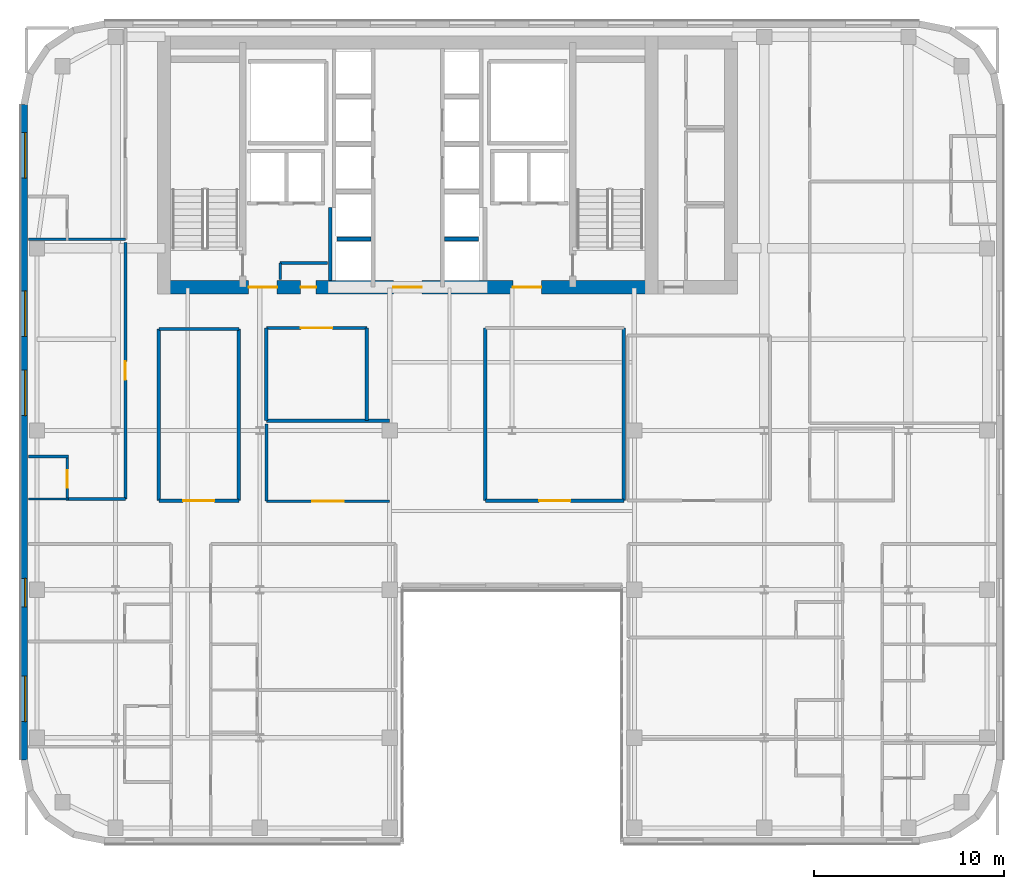
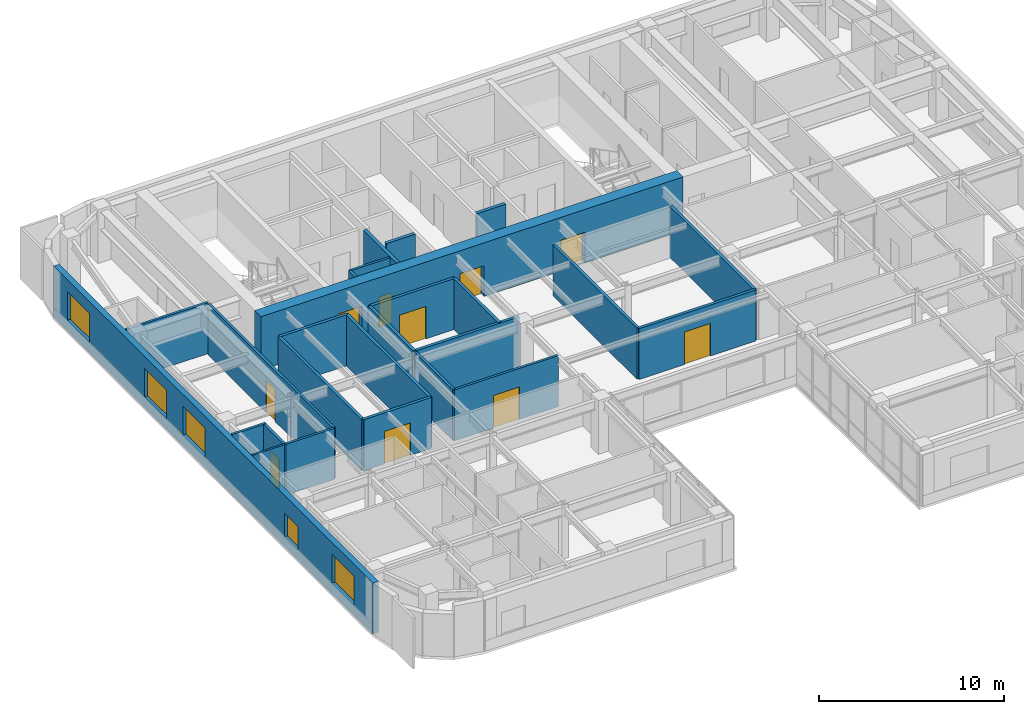
# One storey, part 10 of 20: 26 walls, 10 doors, 5 windows, 15 openings.
"""IFC4 building model written with IfcOpenShell, lengths in metres."""

from ifc_helpers import new_model, si_unit, direction, frame, frame_2d, origin, place, context, subcontext, project, spatial, rectangle, extrude, source, transform, mapped, material, layer, layer_set, type_object, type_shapes, element, fill, save


model = new_model("IFC4")

# Units and contexts
model_context = context("Model", 3, precision=1e-05, world=origin(), true_north=direction((0.0, 1.0)))
body_context = subcontext(model_context, "Body", "Model", "MODEL_VIEW")
ifc_project = project(units=[si_unit("LENGTHUNIT", "METRE"), si_unit("AREAUNIT", "SQUARE_METRE"), si_unit("VOLUMEUNIT", "CUBIC_METRE"), si_unit("PLANEANGLEUNIT", "RADIAN"), si_unit("MASSUNIT", "GRAM", prefix="KILO")], contexts=[model_context])

# Site, building, storey
site_placement = place(None, origin())
site = spatial("IfcSite", under=ifc_project, at=site_placement, CompositionType="ELEMENT")
building_placement = place(site_placement, origin())
building = spatial("IfcBuilding", under=site, at=building_placement, Name="Tolvann Quenvar Hotel", CompositionType="ELEMENT")
storey_placement = place(building_placement, frame((0.0, 0.0, 175.449951171875)))
storey = spatial("IfcBuildingStorey", under=building, at=storey_placement, Name="L46", CompositionType="ELEMENT", Elevation=175.449951171875)

# Wall, openings, doors
ifc_material_1 = material(Name="Concrete S65 (65 MPa)", Category="concrete")
ifc_layer_1 = layer(ifc_material_1, 0.699951171875)
ifc_layer_set_1 = layer_set([ifc_layer_1], Name="Concrete S65 (65 MPa)")
wall_type_1 = type_object("IfcWallType", Name="WALL_CORE_700", PredefinedType="SHEAR", material=ifc_layer_set_1)
wall_1_placement = place(storey_placement, frame((9.800048828125, 31.949951171875, 0.0), z_axis=(0.0, 0.0, 1.0), x_axis=(1.0, 0.0, 0.0)))
wall_1 = element("IfcWall", 1, at=wall_1_placement, inside=storey, type_object=wall_type_1, Name="Rear Core S Shear Wall (L46)", PredefinedType="SHEAR", context=body_context, shape_type="SweptSolid", body=[
    extrude(rectangle(XDim=26.39990234375, YDim=0.699951171875, at=frame_2d((13.199951171875, 0.0))), origin(), (0.0, 0.0, 1.0), 3.550048828125),
])
opening_1_placement = place(wall_1_placement, frame((6.320068359375, 0.0, 0.0), z_axis=(0.0, 0.0, 1.0), x_axis=(-1.0, 0.0, 0.0)))
opening_1 = element("IfcOpeningElement", 2, at=opening_1_placement, cuts=wall_1, Name="Opening FD-60D", PredefinedType="OPENING", context=body_context, shape_type="SweptSolid", body=[
    extrude(rectangle(XDim=1.5, YDim=2.0400390625, at=frame_2d((0.75, 1.02001953125))), frame((0.0, 0.35986328125, 0.0), z_axis=(0.0, -1.0, 0.0), x_axis=(1.0, 0.0, 0.0)), (0.0, 0.0, 1.0), 0.719970703125),
])
opening_2_placement = place(wall_1_placement, frame((13.949951171875, 0.0, 0.0), z_axis=(0.0, 0.0, 1.0), x_axis=(-1.0, 0.0, 0.0)))
opening_2 = element("IfcOpeningElement", 3, at=opening_2_placement, cuts=wall_1, Name="Opening FD-60D", PredefinedType="OPENING", context=body_context, shape_type="SweptSolid", body=[
    extrude(rectangle(XDim=1.5, YDim=2.0400390625, at=frame_2d((0.75, 1.02001953125))), frame((0.0, 0.35986328125, 0.0), z_axis=(0.0, -1.0, 0.0), x_axis=(1.0, 0.0, 0.0)), (0.0, 0.0, 1.0), 0.719970703125),
])
opening_3_placement = place(wall_1_placement, frame((20.25, 0.0, 0.0), z_axis=(0.0, 0.0, 1.0), x_axis=(-1.0, 0.0, 0.0)))
opening_3 = element("IfcOpeningElement", 4, at=opening_3_placement, cuts=wall_1, Name="Opening FD-60D", PredefinedType="OPENING", context=body_context, shape_type="SweptSolid", body=[
    extrude(rectangle(XDim=1.5, YDim=2.0400390625, at=frame_2d((0.75, 1.02001953125))), frame((0.0, 0.35986328125, 0.0), z_axis=(0.0, -1.0, 0.0), x_axis=(1.0, 0.0, 0.0)), (0.0, 0.0, 1.0), 0.719970703125),
])
opening_4_placement = place(wall_1_placement, frame((8.3701171875, 0.0, 0.0), z_axis=(0.0, 0.0, 1.0), x_axis=(-1.0, 0.0, 0.0)))
opening_4 = element("IfcOpeningElement", 5, at=opening_4_placement, cuts=wall_1, Name="Opening HD-02", PredefinedType="OPENING", context=body_context, shape_type="SweptSolid", body=[
    extrude(rectangle(XDim=0.820068359375, YDim=2.010009765625, at=frame_2d((0.41015625, 1.0048828125))), frame((0.0, 0.35986328125, 0.0), z_axis=(0.0, -1.0, 0.0), x_axis=(1.0, 0.0, 0.0)), (0.0, 0.0, 1.0), 0.719970703125),
])
ifc_material_2 = material(Name="Solid-core American oak acoustic fire door leaf in steel frame", Category="steel")
door_type_1 = type_object("IfcDoorType", Name="DOOR_FIRE_LOBBY_1500", OperationType="NOTDEFINED", PredefinedType="DOOR", material=ifc_material_2)
shared_shape_1 = source(origin(), body_context, "Body", "SweptSolid", [
    extrude(rectangle(XDim=1.5, YDim=2.0400390625, at=frame_2d((0.75, 1.02001953125))), frame((0.0, 0.02490234375, 0.0), z_axis=(0.0, -1.0, 0.0), x_axis=(1.0, 0.0, 0.0)), (0.0, 0.0, 1.0), 0.050048828125),
])
type_shapes(door_type_1, [shared_shape_1])
door_1_placement = place(opening_1_placement, origin())
door_1 = element("IfcDoor", 6, at=door_1_placement, inside=storey, type_object=door_type_1, Name="Core Lobby Fire Door FFW (L46)", OperationType="DOUBLE_DOOR_SINGLE_SWING", OverallHeight=2.0400390625, OverallWidth=1.5, PredefinedType="DOOR", context=body_context, shape_type="MappedRepresentation", body=[
    mapped(shared_shape_1, transform((0.0, 0.0, 0.0), x_axis=(1.0, 0.0, 0.0), y_axis=(0.0, 1.0, 0.0), z_axis=(0.0, 0.0, 1.0), scale=1.0)),
])
fill(opening_1, door_1)
door_2_placement = place(opening_2_placement, origin())
door_2 = element("IfcDoor", 7, at=door_2_placement, inside=storey, type_object=door_type_1, Name="Core Lobby Fire Door CLOB (L46)", OperationType="DOUBLE_DOOR_SINGLE_SWING", OverallHeight=2.0400390625, OverallWidth=1.5, PredefinedType="DOOR", context=body_context, shape_type="MappedRepresentation", body=[
    mapped(shared_shape_1, transform((0.0, 0.0, 0.0), x_axis=(1.0, 0.0, 0.0), y_axis=(0.0, 1.0, 0.0), z_axis=(0.0, 0.0, 1.0), scale=1.0)),
])
fill(opening_2, door_2)
door_3_placement = place(opening_3_placement, origin())
door_3 = element("IfcDoor", 8, at=door_3_placement, inside=storey, type_object=door_type_1, Name="Core Lobby Fire Door FFE (L46)", OperationType="DOUBLE_DOOR_SINGLE_SWING", OverallHeight=2.0400390625, OverallWidth=1.5, PredefinedType="DOOR", context=body_context, shape_type="MappedRepresentation", body=[
    mapped(shared_shape_1, transform((0.0, 0.0, 0.0), x_axis=(1.0, 0.0, 0.0), y_axis=(0.0, 1.0, 0.0), z_axis=(0.0, 0.0, 1.0), scale=1.0)),
])
fill(opening_3, door_3)
ifc_material_3 = material(Name="Pressed galvanised steel fire-rated door set", Category="steel")
door_type_2 = type_object("IfcDoorType", Name="DOOR_STORE_820", OperationType="NOTDEFINED", PredefinedType="DOOR", material=ifc_material_3)
shared_shape_2 = source(origin(), body_context, "Body", "SweptSolid", [
    extrude(rectangle(XDim=0.820068359375, YDim=2.010009765625, at=frame_2d((0.41015625, 1.0048828125))), frame((0.0, 0.02490234375, 0.0), z_axis=(0.0, -1.0, 0.0), x_axis=(1.0, 0.0, 0.0)), (0.0, 0.0, 1.0), 0.050048828125),
])
type_shapes(door_type_2, [shared_shape_2])
door_4_placement = place(opening_4_placement, origin())
door_4 = element("IfcDoor", 9, at=door_4_placement, inside=storey, type_object=door_type_2, Name="Core Linen Store Fire Door (L46)", OperationType="SINGLE_SWING_LEFT", OverallHeight=2.010009765625, OverallWidth=0.820068359375, PredefinedType="DOOR", context=body_context, shape_type="MappedRepresentation", body=[
    mapped(shared_shape_2, transform((0.0, 0.0, 0.0), x_axis=(1.0, 0.0, 0.0), y_axis=(0.0, 1.0, 0.0), z_axis=(0.0, 0.0, 1.0), scale=1.0)),
])
fill(opening_4, door_4)

# Wall, openings, windows
ifc_material_4 = material(Name="Kiln-fired red and buff architectural clay brickwork and terracotta masonry", Category="masonry")
ifc_layer_2 = layer(ifc_material_4, 0.35009765625)
ifc_layer_set_2 = layer_set([ifc_layer_2], Name="Kiln-fired red and buff architectural clay brickwork and terracotta masonry")
wall_type_2 = type_object("IfcWallType", Name="WALL_EXT_BRICK_350", PredefinedType="SOLIDWALL", material=ifc_layer_set_2)
wall_2_placement = place(storey_placement, frame((2.77490234375, 41.582763671875, 0.0), z_axis=(0.0, 0.0, 1.0), x_axis=(0.0, -1.0, 0.0)))
wall_2 = element("IfcWall", 10, at=wall_2_placement, inside=storey, type_object=wall_type_2, Name="Exterior Chicago Brick Wall L46-E23", PredefinedType="SOLIDWALL", context=body_context, shape_type="SweptSolid", body=[
    extrude(rectangle(XDim=34.565673828125, YDim=0.35009765625, at=frame_2d((17.28271484375, 0.0))), origin(), (0.0, 0.0, 1.0), 3.3701171875),
])
opening_5_placement = place(wall_2_placement, frame((1.485107421875, 0.0, 0.679931640625)))
opening_5 = element("IfcOpeningElement", 11, at=opening_5_placement, cuts=wall_2, Name="Opening W-01", PredefinedType="OPENING", context=body_context, shape_type="SweptSolid", body=[
    extrude(rectangle(XDim=2.39990234375, YDim=1.89990234375, at=frame_2d((1.199951171875, 0.949951171875))), frame((0.0, 0.18505859375, 0.0), z_axis=(0.0, -1.0, 0.0), x_axis=(1.0, 0.0, 0.0)), (0.0, 0.0, 1.0), 0.3701171875),
])
opening_6_placement = place(wall_2_placement, frame((9.826904296875, 0.0, 0.679931640625)))
opening_6 = element("IfcOpeningElement", 12, at=opening_6_placement, cuts=wall_2, Name="Opening W-01", PredefinedType="OPENING", context=body_context, shape_type="SweptSolid", body=[
    extrude(rectangle(XDim=2.39990234375, YDim=1.89990234375, at=frame_2d((1.199951171875, 0.949951171875))), frame((0.0, 0.18505859375, 0.0), z_axis=(0.0, -1.0, 0.0), x_axis=(1.0, 0.0, 0.0)), (0.0, 0.0, 1.0), 0.3701171875),
])
opening_7_placement = place(wall_2_placement, frame((13.9970703125, 0.0, 0.679931640625)))
opening_7 = element("IfcOpeningElement", 13, at=opening_7_placement, cuts=wall_2, Name="Opening W-01", PredefinedType="OPENING", context=body_context, shape_type="SweptSolid", body=[
    extrude(rectangle(XDim=2.39990234375, YDim=1.89990234375, at=frame_2d((1.199951171875, 0.949951171875))), frame((0.0, 0.18505859375, 0.0), z_axis=(0.0, -1.0, 0.0), x_axis=(1.0, 0.0, 0.0)), (0.0, 0.0, 1.0), 0.3701171875),
])
opening_8_placement = place(wall_2_placement, frame((30.1298828125, 0.0, 0.679931640625)))
opening_8 = element("IfcOpeningElement", 14, at=opening_8_placement, cuts=wall_2, Name="Opening W-01", PredefinedType="OPENING", context=body_context, shape_type="SweptSolid", body=[
    extrude(rectangle(XDim=2.39990234375, YDim=1.89990234375, at=frame_2d((1.199951171875, 0.949951171875))), frame((0.0, 0.18505859375, 0.0), z_axis=(0.0, -1.0, 0.0), x_axis=(1.0, 0.0, 0.0)), (0.0, 0.0, 1.0), 0.3701171875),
])
opening_9_placement = place(wall_2_placement, frame((24.98291015625, 0.0, 0.6201171875)))
opening_9 = element("IfcOpeningElement", 15, at=opening_9_placement, cuts=wall_2, Name="Opening W-08", PredefinedType="OPENING", context=body_context, shape_type="SweptSolid", body=[
    extrude(rectangle(XDim=1.5, YDim=1.550048828125, at=frame_2d((0.75, 0.77490234375))), frame((0.0, 0.18505859375, 0.0), z_axis=(0.0, -1.0, 0.0), x_axis=(1.0, 0.0, 0.0)), (0.0, 0.0, 1.0), 0.3701171875),
])
ifc_material_5 = material(Name="Thermally broken bronze-anodised aluminium frame with double low-E glazing", Category="aluminium")
window_type_1 = type_object("IfcWindowType", Name="WIN_COR_1500x2050", PartitioningType="SINGLE_PANEL", PredefinedType="WINDOW", material=ifc_material_5)
shared_shape_3 = source(origin(), body_context, "Body", "SweptSolid", [
    extrude(rectangle(XDim=1.5, YDim=1.550048828125, at=frame_2d((0.75, 0.77490234375))), frame((0.0, 0.090087890625, 0.0), z_axis=(0.0, -1.0, 0.0), x_axis=(1.0, 0.0, 0.0)), (0.0, 0.0, 1.0), 0.06005859375),
])
type_shapes(window_type_1, [shared_shape_3])
window_1_placement = place(opening_9_placement, origin())
window_1 = element("IfcWindow", 16, at=window_1_placement, inside=storey, type_object=window_type_1, Name="Chicago Window W-08 (EW-L46-E23-WD05)", OverallHeight=1.550048828125, OverallWidth=1.5, PartitioningType="SINGLE_PANEL", PredefinedType="WINDOW", context=body_context, shape_type="MappedRepresentation", body=[
    mapped(shared_shape_3, transform((0.0, 0.0, 0.0), x_axis=(1.0, 0.0, 0.0), y_axis=(0.0, 1.0, 0.0), z_axis=(0.0, 0.0, 1.0), scale=1.0)),
])
fill(opening_9, window_1)
window_type_2 = type_object("IfcWindowType", Name="WIN_CHI_2400x2050", PartitioningType="TRIPLE_PANEL_HORIZONTAL", PredefinedType="WINDOW", material=ifc_material_5)
shared_shape_4 = source(origin(), body_context, "Body", "SweptSolid", [
    extrude(rectangle(XDim=2.39990234375, YDim=1.89990234375, at=frame_2d((1.199951171875, 0.949951171875))), frame((0.0, 0.090087890625, 0.0), z_axis=(0.0, -1.0, 0.0), x_axis=(1.0, 0.0, 0.0)), (0.0, 0.0, 1.0), 0.06005859375),
])
type_shapes(window_type_2, [shared_shape_4])
window_2_placement = place(opening_5_placement, origin())
window_2 = element("IfcWindow", 17, at=window_2_placement, inside=storey, type_object=window_type_2, Name="Chicago Window W-01 (EW-L46-E23-W01)", OverallHeight=1.89990234375, OverallWidth=2.39990234375, PartitioningType="TRIPLE_PANEL_HORIZONTAL", PredefinedType="WINDOW", context=body_context, shape_type="MappedRepresentation", body=[
    mapped(shared_shape_4, transform((0.0, 0.0, 0.0), x_axis=(1.0, 0.0, 0.0), y_axis=(0.0, 1.0, 0.0), z_axis=(0.0, 0.0, 1.0), scale=1.0)),
])
fill(opening_5, window_2)
window_3_placement = place(opening_6_placement, origin())
window_3 = element("IfcWindow", 18, at=window_3_placement, inside=storey, type_object=window_type_2, Name="Chicago Window W-01 (EW-L46-E23-W02)", OverallHeight=1.89990234375, OverallWidth=2.39990234375, PartitioningType="TRIPLE_PANEL_HORIZONTAL", PredefinedType="WINDOW", context=body_context, shape_type="MappedRepresentation", body=[
    mapped(shared_shape_4, transform((0.0, 0.0, 0.0), x_axis=(1.0, 0.0, 0.0), y_axis=(0.0, 1.0, 0.0), z_axis=(0.0, 0.0, 1.0), scale=1.0)),
])
fill(opening_6, window_3)
window_4_placement = place(opening_7_placement, origin())
window_4 = element("IfcWindow", 19, at=window_4_placement, inside=storey, type_object=window_type_2, Name="Chicago Window W-01 (EW-L46-E23-W03)", OverallHeight=1.89990234375, OverallWidth=2.39990234375, PartitioningType="TRIPLE_PANEL_HORIZONTAL", PredefinedType="WINDOW", context=body_context, shape_type="MappedRepresentation", body=[
    mapped(shared_shape_4, transform((0.0, 0.0, 0.0), x_axis=(1.0, 0.0, 0.0), y_axis=(0.0, 1.0, 0.0), z_axis=(0.0, 0.0, 1.0), scale=1.0)),
])
fill(opening_7, window_4)
window_5_placement = place(opening_8_placement, origin())
window_5 = element("IfcWindow", 20, at=window_5_placement, inside=storey, type_object=window_type_2, Name="Chicago Window W-01 (EW-L46-E23-W04)", OverallHeight=1.89990234375, OverallWidth=2.39990234375, PartitioningType="TRIPLE_PANEL_HORIZONTAL", PredefinedType="WINDOW", context=body_context, shape_type="MappedRepresentation", body=[
    mapped(shared_shape_4, transform((0.0, 0.0, 0.0), x_axis=(1.0, 0.0, 0.0), y_axis=(0.0, 1.0, 0.0), z_axis=(0.0, 0.0, 1.0), scale=1.0)),
])
fill(opening_8, window_5)

# Wall, opening, door
ifc_material_6 = material(Name="Acoustic twin-stud fire-rated gypsum plasterboard partition")
ifc_layer_3 = layer(ifc_material_6, 0.179931640625)
ifc_layer_set_3 = layer_set([ifc_layer_3], Name="Acoustic twin-stud fire-rated gypsum plasterboard partition")
wall_type_3 = type_object("IfcWallType", Name="WALL_PART_ACOUSTIC_180", PredefinedType="PARTITIONING", material=ifc_layer_set_3)
wall_3_placement = place(storey_placement, frame((9.8798828125, 20.699951171875, 0.0), z_axis=(0.0, 0.0, 1.0), x_axis=(1.0, 0.0, 0.0)))
wall_3 = element("IfcWall", 21, at=wall_3_placement, inside=storey, type_object=wall_type_3, Name="Interior Partition PT-SPC-L46-MSP-W-S", PredefinedType="PARTITIONING", context=body_context, shape_type="SweptSolid", body=[
    extrude(rectangle(XDim=4.22021484375, YDim=0.179931640625, at=frame_2d((2.110107421875, 0.0))), origin(), (0.0, 0.0, 1.0), 3.3701171875),
])
opening_10_placement = place(wall_3_placement, frame((1.284912109375, 0.0, 0.0)))
opening_10 = element("IfcOpeningElement", 22, at=opening_10_placement, cuts=wall_3, Name="Opening AD-01", PredefinedType="OPENING", context=body_context, shape_type="SweptSolid", body=[
    extrude(rectangle(XDim=1.64990234375, YDim=2.14990234375, at=frame_2d((0.824951171875, 1.074951171875))), frame((0.0, 0.10009765625, 0.0), z_axis=(0.0, -1.0, 0.0), x_axis=(1.0, 0.0, 0.0)), (0.0, 0.0, 1.0), 0.199951171875),
])
door_type_3 = type_object("IfcDoorType", Name="DOOR_SALON_1650", OperationType="NOTDEFINED", PredefinedType="DOOR", material=ifc_material_2)
shared_shape_5 = source(origin(), body_context, "Body", "SweptSolid", [
    extrude(rectangle(XDim=1.64990234375, YDim=2.14990234375, at=frame_2d((0.824951171875, 1.074951171875))), frame((0.0, 0.02490234375, 0.0), z_axis=(0.0, -1.0, 0.0), x_axis=(1.0, 0.0, 0.0)), (0.0, 0.0, 1.0), 0.050048828125),
])
type_shapes(door_type_3, [shared_shape_5])
door_5_placement = place(opening_10_placement, origin())
door_5 = element("IfcDoor", 23, at=door_5_placement, inside=storey, type_object=door_type_3, Name="Interior Door DOOR-SPC-L46-MSP-W", OperationType="DOUBLE_DOOR_SINGLE_SWING", OverallHeight=2.14990234375, OverallWidth=1.64990234375, PredefinedType="DOOR", context=body_context, shape_type="MappedRepresentation", body=[
    mapped(shared_shape_5, transform((0.0, 0.0, 0.0), x_axis=(1.0, 0.0, 0.0), y_axis=(0.0, 1.0, 0.0), z_axis=(0.0, 0.0, 1.0), scale=1.0)),
])
fill(opening_10, door_5)

# Walls
wall_4_placement = place(storey_placement, frame((9.8798828125, 29.75, 0.0), z_axis=(0.0, 0.0, 1.0), x_axis=(1.0, 0.0, 0.0)))
element("IfcWall", 24, at=wall_4_placement, inside=storey, type_object=wall_type_3, Name="Interior Partition PT-SPC-L46-MSP-W-N", PredefinedType="PARTITIONING", context=body_context, shape_type="SweptSolid", body=[
    extrude(rectangle(XDim=4.22021484375, YDim=0.179931640625, at=frame_2d((2.110107421875, 0.0))), origin(), (0.0, 0.0, 1.0), 3.3701171875),
])
for number, where, z_axis, x_axis, name in (
    (25, (9.8798828125, 20.699951171875, 0.0), (0.0, 0.0, 1.0), (0.0, 1.0, 0.0), "Interior Partition PT-SPC-L46-MSP-W-W"),
    (26, (14.10009765625, 20.699951171875, 0.0), (0.0, 0.0, 1.0), (0.0, 1.0, 0.0), "Interior Partition PT-SPC-L46-MSP-W-E"),
):
    element("IfcWall", number, at=place(storey_placement, frame(where, z_axis=z_axis, x_axis=x_axis)), inside=storey, type_object=wall_type_3, Name=name, PredefinedType="PARTITIONING", context=body_context, shape_type="SweptSolid", body=[
        extrude(rectangle(XDim=9.050048828125, YDim=0.179931640625, at=frame_2d((4.52490234375, 0.0))), origin(), (0.0, 0.0, 1.0), 3.3701171875),
    ])

# Wall, opening, door
wall_5_placement = place(storey_placement, frame((27.10009765625, 20.699951171875, 0.0), z_axis=(0.0, 0.0, 1.0), x_axis=(1.0, 0.0, 0.0)))
wall_5 = element("IfcWall", 27, at=wall_5_placement, inside=storey, type_object=wall_type_3, Name="Interior Partition PT-SPC-L46-MSP-C-S", PredefinedType="PARTITIONING", context=body_context, shape_type="SweptSolid", body=[
    extrude(rectangle(XDim=7.2998046875, YDim=0.179931640625, at=frame_2d((3.64990234375, 0.0))), origin(), (0.0, 0.0, 1.0), 3.3701171875),
])
opening_11_placement = place(wall_5_placement, frame((2.824951171875, 0.0, 0.0)))
opening_11 = element("IfcOpeningElement", 28, at=opening_11_placement, cuts=wall_5, Name="Opening AD-01", PredefinedType="OPENING", context=body_context, shape_type="SweptSolid", body=[
    extrude(rectangle(XDim=1.64990234375, YDim=2.14990234375, at=frame_2d((0.824951171875, 1.074951171875))), frame((0.0, 0.10009765625, 0.0), z_axis=(0.0, -1.0, 0.0), x_axis=(1.0, 0.0, 0.0)), (0.0, 0.0, 1.0), 0.199951171875),
])
door_6_placement = place(opening_11_placement, origin())
door_6 = element("IfcDoor", 29, at=door_6_placement, inside=storey, type_object=door_type_3, Name="Interior Door DOOR-SPC-L46-MSP-C", OperationType="DOUBLE_DOOR_SINGLE_SWING", OverallHeight=2.14990234375, OverallWidth=1.64990234375, PredefinedType="DOOR", context=body_context, shape_type="MappedRepresentation", body=[
    mapped(shared_shape_5, transform((0.0, 0.0, 0.0), x_axis=(1.0, 0.0, 0.0), y_axis=(0.0, 1.0, 0.0), z_axis=(0.0, 0.0, 1.0), scale=1.0)),
])
fill(opening_11, door_6)

# Walls
for number, where, z_axis, x_axis, name in (
    (30, (27.10009765625, 20.699951171875, 0.0), (0.0, 0.0, 1.0), (0.0, 1.0, 0.0), "Interior Partition PT-SPC-L46-MSP-C-W"),
    (31, (34.39990234375, 20.699951171875, 0.0), (0.0, 0.0, 1.0), (0.0, 1.0, 0.0), "Interior Partition PT-SPC-L46-MSP-C-E"),
):
    element("IfcWall", number, at=place(storey_placement, frame(where, z_axis=z_axis, x_axis=x_axis)), inside=storey, type_object=wall_type_3, Name=name, PredefinedType="PARTITIONING", context=body_context, shape_type="SweptSolid", body=[
        extrude(rectangle(XDim=9.10009765625, YDim=0.179931640625, at=frame_2d((4.550048828125, 0.0))), origin(), (0.0, 0.0, 1.0), 3.3701171875),
    ])
wall_6_placement = place(storey_placement, frame((15.550048828125, 24.919921875, 0.0), z_axis=(0.0, 0.0, 1.0), x_axis=(1.0, 0.0, 0.0)))
element("IfcWall", 32, at=wall_6_placement, inside=storey, type_object=wall_type_3, Name="Interior Partition PT-SPC-L46-MSP-N-S", PredefinedType="PARTITIONING", context=body_context, shape_type="SweptSolid", body=[
    extrude(rectangle(XDim=6.489990234375, YDim=0.179931640625, at=frame_2d((3.2451171875, 0.0))), origin(), (0.0, 0.0, 1.0), 3.3701171875),
])

# Wall, opening, door
wall_7_placement = place(storey_placement, frame((15.550048828125, 29.800048828125, 0.0), z_axis=(0.0, 0.0, 1.0), x_axis=(1.0, 0.0, 0.0)))
wall_7 = element("IfcWall", 33, at=wall_7_placement, inside=storey, type_object=wall_type_3, Name="Interior Partition PT-SPC-L46-MSP-N-N", PredefinedType="PARTITIONING", context=body_context, shape_type="SweptSolid", body=[
    extrude(rectangle(XDim=5.300048828125, YDim=0.179931640625, at=frame_2d((2.64990234375, 0.0))), origin(), (0.0, 0.0, 1.0), 3.3701171875),
])
opening_12_placement = place(wall_7_placement, frame((1.824951171875, 0.0, 0.0)))
opening_12 = element("IfcOpeningElement", 34, at=opening_12_placement, cuts=wall_7, Name="Opening AD-01", PredefinedType="OPENING", context=body_context, shape_type="SweptSolid", body=[
    extrude(rectangle(XDim=1.64990234375, YDim=2.14990234375, at=frame_2d((0.824951171875, 1.074951171875))), frame((0.0, 0.10009765625, 0.0), z_axis=(0.0, -1.0, 0.0), x_axis=(1.0, 0.0, 0.0)), (0.0, 0.0, 1.0), 0.199951171875),
])
door_7_placement = place(opening_12_placement, origin())
door_7 = element("IfcDoor", 35, at=door_7_placement, inside=storey, type_object=door_type_3, Name="Interior Door DOOR-SPC-L46-MSP-N", OperationType="DOUBLE_DOOR_SINGLE_SWING", OverallHeight=2.14990234375, OverallWidth=1.64990234375, PredefinedType="DOOR", context=body_context, shape_type="MappedRepresentation", body=[
    mapped(shared_shape_5, transform((0.0, 0.0, 0.0), x_axis=(1.0, 0.0, 0.0), y_axis=(0.0, 1.0, 0.0), z_axis=(0.0, 0.0, 1.0), scale=1.0)),
])
fill(opening_12, door_7)

# Walls
for number, where, z_axis, x_axis, name in (
    (36, (15.550048828125, 24.919921875, 0.0), (0.0, 0.0, 1.0), (0.0, 1.0, 0.0), "Interior Partition PT-SPC-L46-MSP-N-W"),
    (37, (20.85009765625, 24.919921875, 0.0), (0.0, 0.0, 1.0), (0.0, 1.0, 0.0), "Interior Partition PT-SPC-L46-MSP-N-E"),
):
    element("IfcWall", number, at=place(storey_placement, frame(where, z_axis=z_axis, x_axis=x_axis)), inside=storey, type_object=wall_type_3, Name=name, PredefinedType="PARTITIONING", context=body_context, shape_type="SweptSolid", body=[
        extrude(rectangle(XDim=4.880126953125, YDim=0.179931640625, at=frame_2d((2.43994140625, 0.0))), origin(), (0.0, 0.0, 1.0), 3.3701171875),
    ])
ifc_material_7 = material(Name="Moisture-resistant acoustic plumbing wall assembly")
ifc_layer_4 = layer(ifc_material_7, 0.1201171875)
ifc_layer_set_4 = layer_set([ifc_layer_4], Name="Moisture-resistant acoustic plumbing wall assembly")
wall_type_4 = type_object("IfcWallType", Name="WALL_PART_BATH_120", PredefinedType="PLUMBINGWALL", material=ifc_layer_set_4)
wall_8_placement = place(storey_placement, frame((3.0048828125, 20.780029296875, 0.0), z_axis=(0.0, 0.0, 1.0), x_axis=(1.0, 0.0, 0.0)))
element("IfcWall", 38, at=wall_8_placement, inside=storey, type_object=wall_type_4, Name="Non-Rated Plumbing Partition PT-SPC-L46-ENS-NW01-S", PredefinedType="PLUMBINGWALL", context=body_context, shape_type="SweptSolid", body=[
    extrude(rectangle(XDim=2.115234375, YDim=0.1201171875, at=frame_2d((1.0576171875, 0.0))), origin(), (0.0, 0.0, 1.0), 3.3701171875),
])

# Wall, opening, door
ifc_layer_5 = layer(ifc_material_6, 0.14990234375)
ifc_layer_set_5 = layer_set([ifc_layer_5], Name="Acoustic twin-stud fire-rated gypsum plasterboard partition")
wall_type_5 = type_object("IfcWallType", Name="WALL_PART_SUITE_150", PredefinedType="PARTITIONING", material=ifc_layer_set_5)
wall_9_placement = place(storey_placement, frame((5.050048828125, 20.7099609375, 0.0), z_axis=(0.0, 0.0, 1.0), x_axis=(0.0, 1.0, 0.0)))
wall_9 = element("IfcWall", 39, at=wall_9_placement, inside=storey, type_object=wall_type_5, Name="Interior Partition PT-SPC-L46-ENS-NW01-ENT", PredefinedType="PARTITIONING", context=body_context, shape_type="SweptSolid", body=[
    extrude(rectangle(XDim=2.39013671875, YDim=0.14990234375, at=frame_2d((1.195068359375, 0.0))), origin(), (0.0, 0.0, 1.0), 3.3701171875),
])
opening_13_placement = place(wall_9_placement, frame((0.6650390625, 0.0, 0.0)))
opening_13 = element("IfcOpeningElement", 40, at=opening_13_placement, cuts=wall_9, Name="Opening WD-01", PredefinedType="OPENING", context=body_context, shape_type="SweptSolid", body=[
    extrude(rectangle(XDim=0.919921875, YDim=2.010009765625, at=frame_2d((0.4599609375, 1.0048828125))), frame((0.0, 0.0849609375, 0.0), z_axis=(0.0, -1.0, 0.0), x_axis=(1.0, 0.0, 0.0)), (0.0, 0.0, 1.0), 0.169921875),
])
door_type_4 = type_object("IfcDoorType", Name="DOOR_WC_920", OperationType="NOTDEFINED", PredefinedType="DOOR", material=ifc_material_2)
shared_shape_6 = source(origin(), body_context, "Body", "SweptSolid", [
    extrude(rectangle(XDim=0.919921875, YDim=2.010009765625, at=frame_2d((0.4599609375, 1.0048828125))), frame((0.0, 0.02490234375, 0.0), z_axis=(0.0, -1.0, 0.0), x_axis=(1.0, 0.0, 0.0)), (0.0, 0.0, 1.0), 0.050048828125),
])
type_shapes(door_type_4, [shared_shape_6])
door_8_placement = place(opening_13_placement, origin())
door_8 = element("IfcDoor", 41, at=door_8_placement, inside=storey, type_object=door_type_4, Name="Interior Door DOOR-SPC-L46-ENS-NW01", OperationType="SINGLE_SWING_RIGHT", OverallHeight=2.010009765625, OverallWidth=0.919921875, PredefinedType="DOOR", context=body_context, shape_type="MappedRepresentation", body=[
    mapped(shared_shape_6, transform((0.0, 0.0, 0.0), x_axis=(1.0, 0.0, 0.0), y_axis=(0.0, 1.0, 0.0), z_axis=(0.0, 0.0, 1.0), scale=1.0)),
])
fill(opening_13, door_8)

# Walls
wall_10_placement = place(storey_placement, frame((3.0048828125, 23.030029296875, 0.0), z_axis=(0.0, 0.0, 1.0), x_axis=(1.0, 0.0, 0.0)))
element("IfcWall", 42, at=wall_10_placement, inside=storey, type_object=wall_type_5, Name="Interior Partition PT-SPC-L46-ENS-NW01-N", PredefinedType="PARTITIONING", context=body_context, shape_type="SweptSolid", body=[
    extrude(rectangle(XDim=2.115234375, YDim=0.14990234375, at=frame_2d((1.0576171875, 0.0))), origin(), (0.0, 0.0, 1.0), 3.3701171875),
])
wall_11_placement = place(storey_placement, frame((3.0048828125, 34.47998046875, 0.0), z_axis=(0.0, 0.0, 1.0), x_axis=(1.0, 0.0, 0.0)))
element("IfcWall", 43, at=wall_11_placement, inside=storey, type_object=wall_type_5, Name="Interior Partition PT-SPC-L46-ENS-NW02-S", PredefinedType="PARTITIONING", context=body_context, shape_type="SweptSolid", body=[
    extrude(rectangle(XDim=5.115234375, YDim=0.14990234375, at=frame_2d((2.5576171875, 0.0))), origin(), (0.0, 0.0, 1.0), 3.3701171875),
])
wall_12_placement = place(storey_placement, frame((16.280029296875, 33.219970703125, 0.0), z_axis=(0.0, 0.0, 1.0), x_axis=(1.0, 0.0, 0.0)))
element("IfcWall", 44, at=wall_12_placement, inside=storey, type_object=wall_type_5, Name="Interior Partition PT-SPC-L46-CSW-1-N", PredefinedType="PARTITIONING", context=body_context, shape_type="SweptSolid", body=[
    extrude(rectangle(XDim=2.48486328125, YDim=0.14990234375, at=frame_2d((1.242431640625, 0.0))), origin(), (0.0, 0.0, 1.0), 3.3701171875),
])
wall_13_placement = place(storey_placement, frame((16.280029296875, 32.35498046875, 0.0), z_axis=(0.0, 0.0, 1.0), x_axis=(0.0, 1.0, 0.0)))
element("IfcWall", 45, at=wall_13_placement, inside=storey, type_object=wall_type_5, Name="Interior Partition PT-SPC-L46-CSW-1-W", PredefinedType="PARTITIONING", context=body_context, shape_type="SweptSolid", body=[
    extrude(rectangle(XDim=0.864990234375, YDim=0.14990234375, at=frame_2d((0.4326171875, 0.0))), origin(), (0.0, 0.0, 1.0), 3.3701171875),
])

# Wall, opening, door
wall_14_placement = place(storey_placement, frame((8.1201171875, 20.780029296875, 0.0), z_axis=(0.0, 0.0, 1.0), x_axis=(0.0, 1.0, 0.0)))
wall_14 = element("IfcWall", 46, at=wall_14_placement, inside=storey, type_object=wall_type_5, Name="Interior Partition PT-SPC-L46-RM-NW01-ENT", PredefinedType="PARTITIONING", context=body_context, shape_type="SweptSolid", body=[
    extrude(rectangle(XDim=13.5400390625, YDim=0.14990234375, at=frame_2d((6.77001953125, 0.0))), origin(), (0.0, 0.0, 1.0), 3.3701171875),
])
opening_14_placement = place(wall_14_placement, frame((6.280029296875, 0.0, 0.0)))
opening_14 = element("IfcOpeningElement", 47, at=opening_14_placement, cuts=wall_14, Name="Opening SD-01", PredefinedType="OPENING", context=body_context, shape_type="SweptSolid", body=[
    extrude(rectangle(XDim=0.97998046875, YDim=2.1201171875, at=frame_2d((0.489990234375, 1.06005859375))), frame((0.0, 0.0849609375, 0.0), z_axis=(0.0, -1.0, 0.0), x_axis=(1.0, 0.0, 0.0)), (0.0, 0.0, 1.0), 0.169921875),
])
door_type_5 = type_object("IfcDoorType", Name="DOOR_SUITE_980", OperationType="NOTDEFINED", PredefinedType="DOOR", material=ifc_material_2)
shared_shape_7 = source(origin(), body_context, "Body", "SweptSolid", [
    extrude(rectangle(XDim=0.97998046875, YDim=2.1201171875, at=frame_2d((0.489990234375, 1.06005859375))), frame((0.0, 0.02490234375, 0.0), z_axis=(0.0, -1.0, 0.0), x_axis=(1.0, 0.0, 0.0)), (0.0, 0.0, 1.0), 0.050048828125),
])
type_shapes(door_type_5, [shared_shape_7])
door_9_placement = place(opening_14_placement, origin())
door_9 = element("IfcDoor", 48, at=door_9_placement, inside=storey, type_object=door_type_5, Name="Interior Door DOOR-SPC-L46-RM-NW01", OperationType="SINGLE_SWING_RIGHT", OverallHeight=2.1201171875, OverallWidth=0.97998046875, PredefinedType="DOOR", context=body_context, shape_type="MappedRepresentation", body=[
    mapped(shared_shape_7, transform((0.0, 0.0, 0.0), x_axis=(1.0, 0.0, 0.0), y_axis=(0.0, 1.0, 0.0), z_axis=(0.0, 0.0, 1.0), scale=1.0)),
])
fill(opening_14, door_9)

# Wall
wall_15_placement = place(storey_placement, frame((5.070068359375, 20.780029296875, 0.0), z_axis=(0.0, 0.0, 1.0), x_axis=(1.0, 0.0, 0.0)))
element("IfcWall", 49, at=wall_15_placement, inside=storey, type_object=wall_type_5, Name="Interior Partition PT-SPC-L46-RM-NW01-E3", PredefinedType="PARTITIONING", context=body_context, shape_type="SweptSolid", body=[
    extrude(rectangle(XDim=3.050048828125, YDim=0.14990234375, at=frame_2d((1.52490234375, 0.0))), origin(), (0.0, 0.0, 1.0), 3.3701171875),
])

# Wall, opening, door
wall_16_placement = place(storey_placement, frame((15.550048828125, 20.669921875, 0.0), z_axis=(0.0, 0.0, 1.0), x_axis=(1.0, 0.0, 0.0)))
wall_16 = element("IfcWall", 50, at=wall_16_placement, inside=storey, type_object=wall_type_5, Name="Interior Partition PT-SPC-L46-MSP-CTR-S", PredefinedType="PARTITIONING", context=body_context, shape_type="SweptSolid", body=[
    extrude(rectangle(XDim=6.489990234375, YDim=0.14990234375, at=frame_2d((3.2451171875, 0.0))), origin(), (0.0, 0.0, 1.0), 3.3701171875),
])
opening_15_placement = place(wall_16_placement, frame((2.419921875, 0.0, 0.0)))
opening_15 = element("IfcOpeningElement", 51, at=opening_15_placement, cuts=wall_16, Name="Opening AD-01", PredefinedType="OPENING", context=body_context, shape_type="SweptSolid", body=[
    extrude(rectangle(XDim=1.64990234375, YDim=2.14990234375, at=frame_2d((0.824951171875, 1.074951171875))), frame((0.0, 0.0849609375, 0.0), z_axis=(0.0, -1.0, 0.0), x_axis=(1.0, 0.0, 0.0)), (0.0, 0.0, 1.0), 0.169921875),
])
door_10_placement = place(opening_15_placement, origin())
door_10 = element("IfcDoor", 52, at=door_10_placement, inside=storey, type_object=door_type_3, Name="Interior Door DOOR-SPC-L46-MSP-CTR", OperationType="DOUBLE_DOOR_SINGLE_SWING", OverallHeight=2.14990234375, OverallWidth=1.64990234375, PredefinedType="DOOR", context=body_context, shape_type="MappedRepresentation", body=[
    mapped(shared_shape_5, transform((0.0, 0.0, 0.0), x_axis=(1.0, 0.0, 0.0), y_axis=(0.0, 1.0, 0.0), z_axis=(0.0, 0.0, 1.0), scale=1.0)),
])
fill(opening_15, door_10)

# Walls
wall_17_placement = place(storey_placement, frame((15.550048828125, 20.669921875, 0.0), z_axis=(0.0, 0.0, 1.0), x_axis=(0.0, 1.0, 0.0)))
element("IfcWall", 53, at=wall_17_placement, inside=storey, type_object=wall_type_5, Name="Interior Partition PT-SPC-L46-MSP-CTR-W", PredefinedType="PARTITIONING", context=body_context, shape_type="SweptSolid", body=[
    extrude(rectangle(XDim=4.080078125, YDim=0.14990234375, at=frame_2d((2.0400390625, 0.0))), origin(), (0.0, 0.0, 1.0), 3.3701171875),
])
ifc_material_8 = material(Name="Concrete N40 (40 MPa)", Category="concrete")
ifc_layer_6 = layer(ifc_material_8, 0.199951171875)
ifc_layer_set_6 = layer_set([ifc_layer_6], Name="Concrete N40 (40 MPa)")
wall_type_6 = type_object("IfcWallType", Name="WALL_SHAFT_200", PredefinedType="SOLIDWALL", material=ifc_layer_set_6)
wall_18_placement = place(storey_placement, frame((18.919921875, 32.303955078125, 0.0), z_axis=(0.0, 0.0, 1.0), x_axis=(0.0, 1.0, 0.0)))
element("IfcWall", 54, at=wall_18_placement, inside=storey, type_object=wall_type_6, Name="Firefighting Lobby W Inner Fire Wall (L46)", PredefinedType="SOLIDWALL", context=body_context, shape_type="SweptSolid", body=[
    extrude(rectangle(XDim=3.845947265625, YDim=0.199951171875, at=frame_2d((1.9228515625, 0.0))), origin(), (0.0, 0.0, 1.0), 3.3701171875),
])
for number, where, z_axis, x_axis, name in (
    (55, (19.27001953125, 34.5, 0.0), (0.0, 0.0, 1.0), (1.0, 0.0, 0.0), "Lift Bank E21.1C1 Divider Wall 1 (L46)"),
    (56, (24.929931640625, 34.5, 0.0), (0.0, 0.0, 1.0), (1.0, 0.0, 0.0), "Lift Bank W24.9C1 Divider Wall 1 (L46)"),
):
    element("IfcWall", number, at=place(storey_placement, frame(where, z_axis=z_axis, x_axis=x_axis)), inside=storey, type_object=wall_type_6, Name=name, PredefinedType="SOLIDWALL", context=body_context, shape_type="SweptSolid", body=[
        extrude(rectangle(XDim=1.800048828125, YDim=0.199951171875, at=frame_2d((0.89990234375, 0.0))), origin(), (0.0, 0.0, 1.0), 3.3701171875),
    ])

save(model, "model.ifc")
